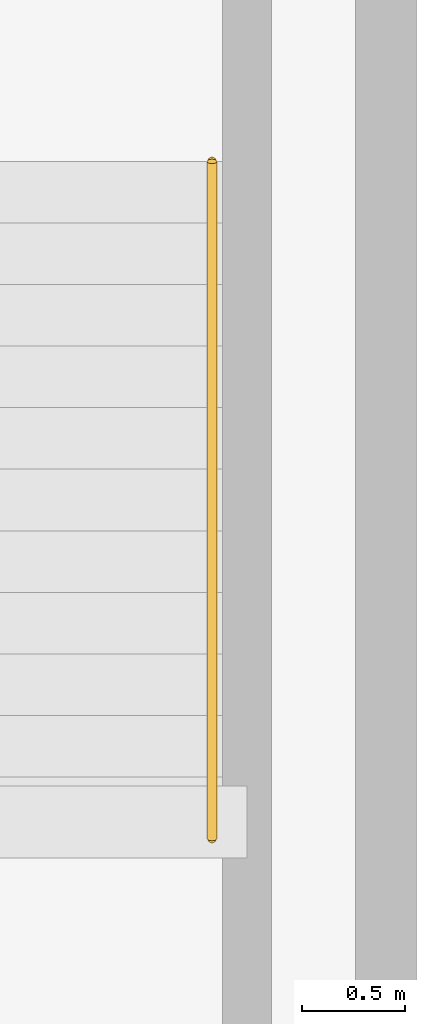
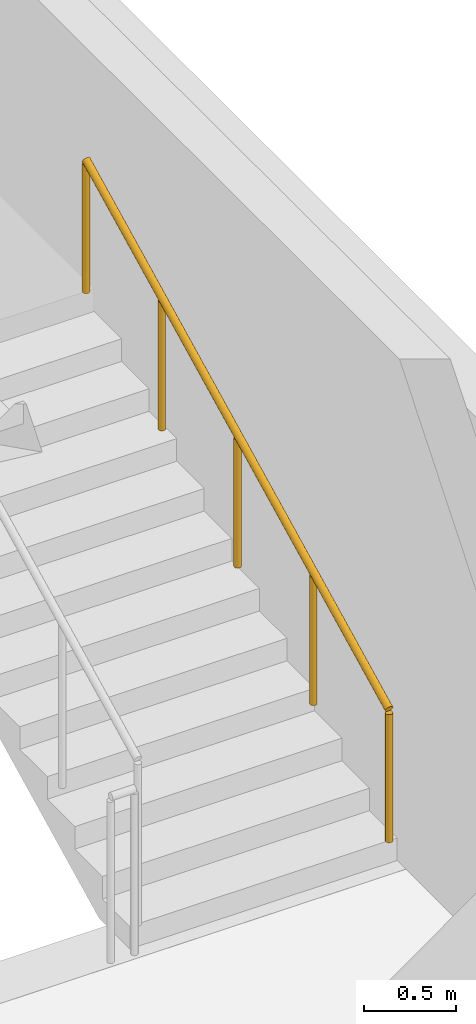
# One storey, part 18 of 18: 1 railing.
"""IFC4 building model written with IfcOpenShell, lengths in metres."""

import ifcopenshell
import ifcopenshell.guid

model = None  # the IFC model being written
_history = None  # IfcOwnerHistory: only IFC2X3 demands one
_inside = {}  # id of a spatial element -> (the spatial element, [elements in it])
_under = {}  # id of a project, library or spatial element -> (it, [spatial elements below it])
_declared = {}  # id of a project -> (the project, [libraries it declares])
_typed = {}  # id of a type object -> (the type object, [elements of that type])
_made_of = {}  # id of a material, layer set ... -> (it, [elements and type objects made of it])


def new_model(schema):
    """Start an empty IFC model of exactly this schema.

    Asked for "IFC4X3", IfcOpenShell would pick the latest addendum, in which some entities
    have other attributes; the version numbers below select the first issue.
    IFC2X3 requires an IfcOwnerHistory on every rooted entity: one is made here for all.
    """
    global model, _history
    if schema == "IFC4X3":
        model = ifcopenshell.file(schema_version=(4, 3, 0, 0))
    else:
        model = ifcopenshell.file(schema=schema)
    _inside.clear()
    _under.clear()
    _declared.clear()
    _typed.clear()
    _made_of.clear()
    _history = None
    if model.schema == "IFC2X3":
        org = make("IfcOrganization", Name="unknown")
        user = make(
            "IfcPersonAndOrganization",
            ThePerson=make("IfcPerson", FamilyName="unknown"),
            TheOrganization=org,
        )
        app = make(
            "IfcApplication",
            ApplicationDeveloper=org,
            Version="unknown",
            ApplicationFullName="unknown",
            ApplicationIdentifier="unknown",
        )
        _history = make(
            "IfcOwnerHistory",
            OwningUser=user,
            OwningApplication=app,
            ChangeAction="ADDED",
            CreationDate=0,
        )
    return model


def make(cls, **values):
    """One entity of the class cls with the attributes given. An attribute that is None is left unset."""
    return model.create_entity(
        cls, **{name: value for name, value in values.items() if value is not None}
    )


def rooted(cls, **values):
    """An entity with a GlobalId (a new one), such as an element, a storey or a relation."""
    return make(cls, GlobalId=ifcopenshell.guid.new(), OwnerHistory=_history, **values)


def si_unit(unit_type, name, prefix=None):
    """IfcSIUnit, for example si_unit("LENGTHUNIT", "METRE", prefix="MILLI")."""
    return make("IfcSIUnit", UnitType=unit_type, Prefix=prefix, Name=name)


def assignment(units):
    """IfcUnitAssignment: the units of a project."""
    return None if units is None else make("IfcUnitAssignment", Units=units)


def point(xyz):
    """IfcCartesianPoint."""
    return None if xyz is None else make("IfcCartesianPoint", Coordinates=xyz)


def direction(xyz):
    """IfcDirection."""
    return None if xyz is None else make("IfcDirection", DirectionRatios=xyz)


def frame(location, z_axis=None, x_axis=None):
    """IfcAxis2Placement3D, a coordinate frame: its origin and axes. An axis left out is left unset."""
    return make(
        "IfcAxis2Placement3D",
        Location=point(location),
        Axis=direction(z_axis),
        RefDirection=direction(x_axis),
    )


def frame_2d(location, x_axis=None):
    """IfcAxis2Placement2D, a coordinate frame in the plane: its origin and x axis."""
    return make(
        "IfcAxis2Placement2D", Location=point(location), RefDirection=direction(x_axis)
    )


def origin():
    """The frame at (0, 0, 0) with its axes left unset."""
    return frame((0.0, 0.0, 0.0))


def origin_2d():
    """The frame at (0, 0) in the plane with its x axis left unset."""
    return frame_2d((0.0, 0.0))


def place(relative_to, where):
    """IfcLocalPlacement: puts the frame where relative to a parent placement (None: the world)."""
    return make(
        "IfcLocalPlacement", PlacementRelTo=relative_to, RelativePlacement=where
    )


def context(
    kind, dimensions, precision=None, world=None, true_north=None, identifier=None
):
    """IfcGeometricRepresentationContext, for example the 3D "Model" context."""
    return make(
        "IfcGeometricRepresentationContext",
        ContextIdentifier=identifier,
        ContextType=kind,
        CoordinateSpaceDimension=dimensions,
        Precision=precision,
        WorldCoordinateSystem=world,
        TrueNorth=true_north,
    )


def subcontext(parent, identifier, kind, view, scale=None):
    """IfcGeometricRepresentationSubContext, for example "Body" below "Model"."""
    return make(
        "IfcGeometricRepresentationSubContext",
        ContextIdentifier=identifier,
        ContextType=kind,
        ParentContext=parent,
        TargetScale=scale,
        TargetView=view,
    )


def project(units=None, contexts=None):
    """IfcProject with its units and contexts."""
    return rooted(
        "IfcProject",
        Name="project",
        RepresentationContexts=contexts,
        UnitsInContext=assignment(units),
    )


def spatial(cls, under=None, at=None, **own):
    """A site, building, storey or space (cls), placed at a placement, below another one or the project."""
    s = rooted(cls, ObjectPlacement=at, **own)
    if under is not None:
        _under.setdefault(under.id(), (under, []))[1].append(s)
    return s


def profile(cls, at=None, kind="AREA", **sizes):
    """A parametric profile (cls). Its sizes go by their IFC names, for example OverallWidth=200.0."""
    return make(cls, ProfileType=kind, Position=at, **sizes)


def circle(**sizes):
    """IfcCircleProfileDef."""
    return profile("IfcCircleProfileDef", **sizes)


def extrude(swept, where, along, depth):
    """IfcExtrudedAreaSolid: the profile swept, set in the frame where, extruded along a direction by depth."""
    return make(
        "IfcExtrudedAreaSolid",
        SweptArea=swept,
        Position=where,
        ExtrudedDirection=direction(along),
        Depth=depth,
    )


def shape(context_of_items, identifier, shape_type, items):
    """IfcShapeRepresentation: the items that make up one representation, for example the "Body"."""
    return make(
        "IfcShapeRepresentation",
        ContextOfItems=context_of_items,
        RepresentationIdentifier=identifier,
        RepresentationType=shape_type,
        Items=items,
    )


def material(Name=None, Category=None):
    """IfcMaterial."""
    return make("IfcMaterial", Name=Name, Category=Category)


def layer(
    of_material, thickness, ventilated=None, Name=None, Category=None, Priority=None
):
    """IfcMaterialLayer: one layer of a wall or slab, of a material (None: an air gap)."""
    return make(
        "IfcMaterialLayer",
        Material=of_material,
        LayerThickness=thickness,
        IsVentilated=ventilated,
        Name=Name,
        Category=Category,
        Priority=Priority,
    )


def layer_set(layers, Name=None):
    """IfcMaterialLayerSet."""
    return make("IfcMaterialLayerSet", MaterialLayers=layers, LayerSetName=Name)


def made_of(thing, what):
    """Note that an element or type object is made of a material, layer set ...; save() writes the relation."""
    if what is not None:
        _made_of.setdefault(what.id(), (what, []))[1].append(thing)
    return thing


def type_object(cls, material=None, **own):
    """A type object (cls), such as IfcWallType, which elements share."""
    return made_of(rooted(cls, **own), material)


def element(
    cls,
    number,
    at=None,
    inside=None,
    cuts=None,
    type_object=None,
    material=None,
    context=None,
    identifier="Body",
    shape_type=None,
    held_by="IfcProductDefinitionShape",
    body=None,
    shapes=None,
    **own,
):
    """One element of the class cls, such as IfcWall. Its Tag is "e" and its number.

    at: its placement. inside: the storey or other place that contains it. cuts: it is an
    opening in that element (IfcRelVoidsElement). A single representation is given by context,
    identifier, shape_type and body (its items); several are given by shapes. held_by: the class
    of the entity that holds the representations. save() writes the other relations.
    """
    e = rooted(cls, Tag="e%d" % number, ObjectPlacement=at, **own)
    if body is not None:
        shapes = [shape(context, identifier, shape_type, body)]
    if shapes is not None:
        e.Representation = make(held_by, Representations=shapes)
    if inside is not None:
        _inside.setdefault(inside.id(), (inside, []))[1].append(e)
    if cuts is not None:
        rooted(
            "IfcRelVoidsElement", RelatingBuildingElement=cuts, RelatedOpeningElement=e
        )
    if type_object is not None:
        _typed.setdefault(type_object.id(), (type_object, []))[1].append(e)
    return made_of(e, material)


def aggregate(whole, parts):
    """IfcRelAggregates: a whole, such as a stair, and the parts it consists of."""
    return rooted("IfcRelAggregates", RelatingObject=whole, RelatedObjects=parts)


def save(model, path):
    """Write the relations noted so far, then the file.

    IfcRelAggregates (storeys below a building ...), IfcRelContainedInSpatialStructure (elements
    in a storey), IfcRelDefinesByType, IfcRelAssociatesMaterial and IfcRelDeclares: one each for
    every whole, place, type object, material and project.
    """
    for whole, parts in _under.values():
        aggregate(whole, parts)
    for where, things in _inside.values():
        rooted(
            "IfcRelContainedInSpatialStructure",
            RelatedElements=things,
            RelatingStructure=where,
        )
    for kind, things in _typed.values():
        rooted("IfcRelDefinesByType", RelatedObjects=things, RelatingType=kind)
    for what, things in _made_of.values():
        rooted("IfcRelAssociatesMaterial", RelatedObjects=things, RelatingMaterial=what)
    for by, libraries in _declared.values():
        rooted("IfcRelDeclares", RelatingContext=by, RelatedDefinitions=libraries)
    model.write(path)


model = new_model("IFC4")

# Units and contexts
model_context = context("Model", 3, precision=1e-05, world=origin(), true_north=direction((0.0, 1.0)))
body_context = subcontext(model_context, "Body", "Model", "MODEL_VIEW")
ifc_project = project(units=[si_unit("LENGTHUNIT", "METRE"), si_unit("AREAUNIT", "SQUARE_METRE"), si_unit("VOLUMEUNIT", "CUBIC_METRE"), si_unit("PLANEANGLEUNIT", "RADIAN"), si_unit("MASSUNIT", "GRAM", prefix="KILO")], contexts=[model_context])

# Site, building, storey
site_placement = place(None, origin())
site = spatial("IfcSite", under=ifc_project, at=site_placement, CompositionType="ELEMENT")
building_placement = place(site_placement, origin())
building = spatial("IfcBuilding", under=site, at=building_placement, Name="Yukiwa Park Conservatory and Herbarium", CompositionType="ELEMENT")
storey_placement = place(building_placement, frame((0.0, 0.0, 21.0)))
storey = spatial("IfcBuildingStorey", under=building, at=storey_placement, Name="L05", CompositionType="ELEMENT", Elevation=21.0)

# Railing
ifc_material = material(Name="Steel Q235B", Category="steel")
ifc_layer = layer(ifc_material, 0.044921875)
ifc_layer_set = layer_set([ifc_layer], Name="Steel Q235B")
railing_type = type_object("IfcRailingType", Name="RL-STAIR-RAIL-900", PredefinedType="HANDRAIL", material=ifc_layer_set)
railing_placement = place(storey_placement, frame((167.14990234375, 108.3798828125, 0.14990234375)))
element("IfcRailing", 1, at=railing_placement, inside=storey, type_object=railing_type, Name="L05 ST-T3 stair handrail 1", PredefinedType="HANDRAIL", context=body_context, shape_type="SweptSolid", body=[
    extrude(circle(Radius=0.02392578125, at=origin_2d()), frame((0.0, 0.0, 0.8759765625), z_axis=(0.0, 0.894413956696, 0.447240063129), x_axis=(-1.0, 0.0, 0.0)), (0.0, 0.0, 1.0), 3.689697265625),
    extrude(circle(Radius=0.02099609375, at=origin_2d()), origin(), (0.0, 0.0, 1.0), 0.851806640625),
    extrude(circle(Radius=0.02099609375, at=origin_2d()), frame((0.0, 0.824951171875, 0.41259765625)), (0.0, 0.0, 1.0), 0.851806640625),
    extrude(circle(Radius=0.02099609375, at=origin_2d()), frame((0.0, 1.64990234375, 0.8251953125)), (0.0, 0.0, 1.0), 0.851806640625),
    extrude(circle(Radius=0.02099609375, at=origin_2d()), frame((0.0, 2.47509765625, 1.237548828125)), (0.0, 0.0, 1.0), 0.851806640625),
    extrude(circle(Radius=0.02099609375, at=origin_2d()), frame((0.0, 3.300048828125, 1.650146484375)), (0.0, 0.0, 1.0), 0.851806640625),
])

save(model, "model.ifc")
